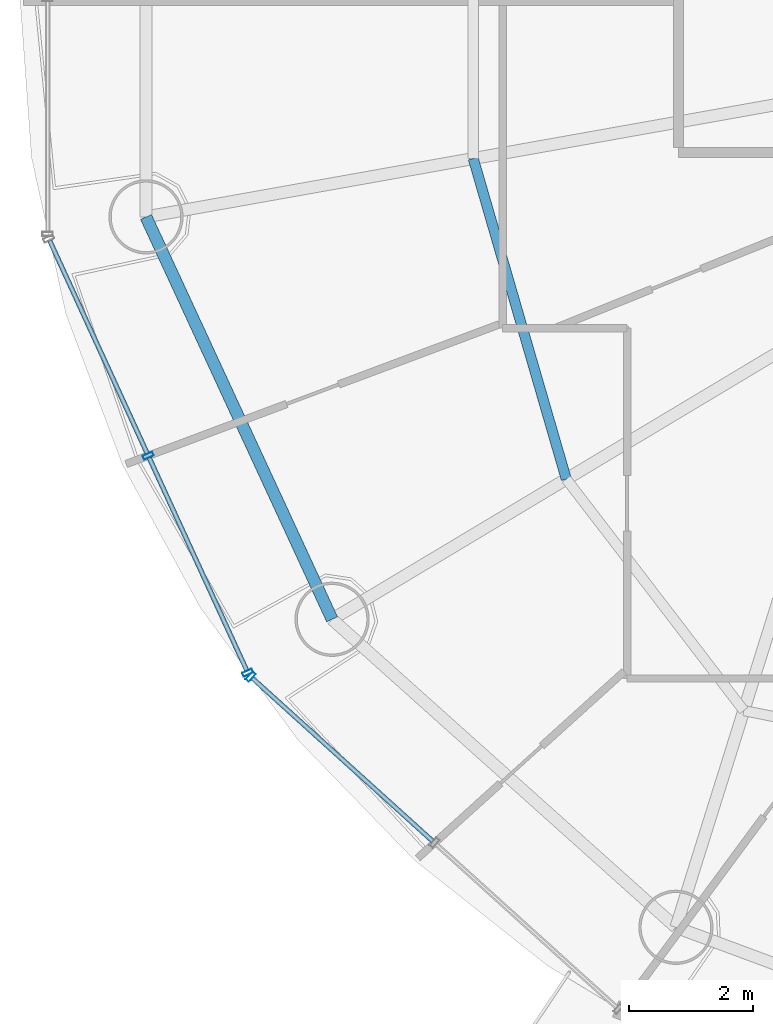
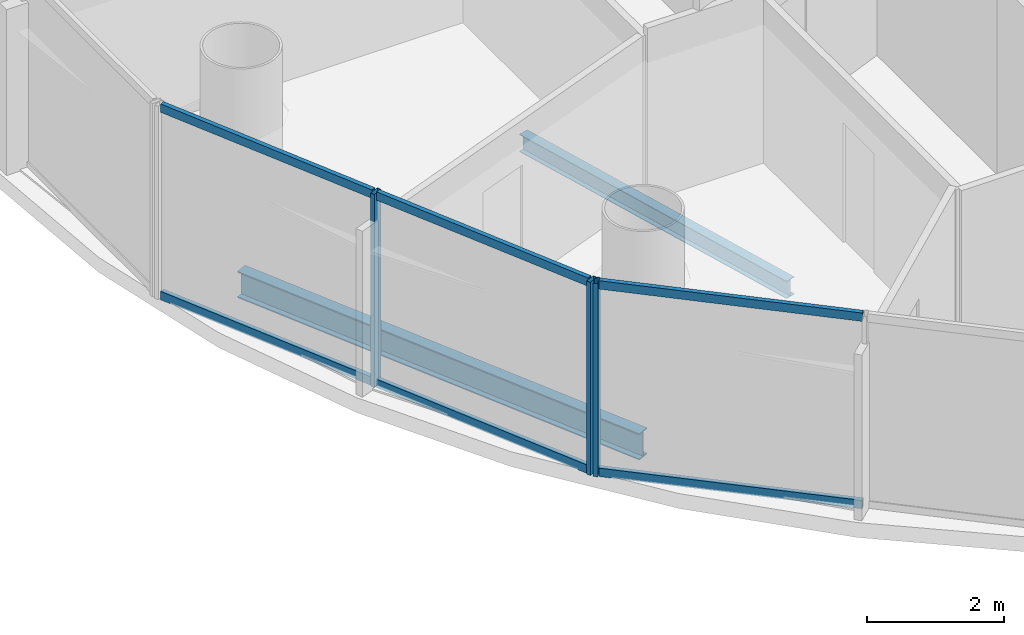
# One storey, part 3 of 26: 9 members, 2 beams, 2 elements without a shape of their own.
"""IFC4 building model written with IfcOpenShell, lengths in metres."""

import ifcopenshell
import ifcopenshell.guid

model = None  # the IFC model being written
_history = None  # IfcOwnerHistory: only IFC2X3 demands one
_inside = {}  # id of a spatial element -> (the spatial element, [elements in it])
_under = {}  # id of a project, library or spatial element -> (it, [spatial elements below it])
_declared = {}  # id of a project -> (the project, [libraries it declares])
_typed = {}  # id of a type object -> (the type object, [elements of that type])
_made_of = {}  # id of a material, layer set ... -> (it, [elements and type objects made of it])


def new_model(schema):
    """Start an empty IFC model of exactly this schema.

    Asked for "IFC4X3", IfcOpenShell would pick the latest addendum, in which some entities
    have other attributes; the version numbers below select the first issue.
    IFC2X3 requires an IfcOwnerHistory on every rooted entity: one is made here for all.
    """
    global model, _history
    if schema == "IFC4X3":
        model = ifcopenshell.file(schema_version=(4, 3, 0, 0))
    else:
        model = ifcopenshell.file(schema=schema)
    _inside.clear()
    _under.clear()
    _declared.clear()
    _typed.clear()
    _made_of.clear()
    _history = None
    if model.schema == "IFC2X3":
        org = make("IfcOrganization", Name="unknown")
        user = make(
            "IfcPersonAndOrganization",
            ThePerson=make("IfcPerson", FamilyName="unknown"),
            TheOrganization=org,
        )
        app = make(
            "IfcApplication",
            ApplicationDeveloper=org,
            Version="unknown",
            ApplicationFullName="unknown",
            ApplicationIdentifier="unknown",
        )
        _history = make(
            "IfcOwnerHistory",
            OwningUser=user,
            OwningApplication=app,
            ChangeAction="ADDED",
            CreationDate=0,
        )
    return model


def make(cls, **values):
    """One entity of the class cls with the attributes given. An attribute that is None is left unset."""
    return model.create_entity(
        cls, **{name: value for name, value in values.items() if value is not None}
    )


def rooted(cls, **values):
    """An entity with a GlobalId (a new one), such as an element, a storey or a relation."""
    return make(cls, GlobalId=ifcopenshell.guid.new(), OwnerHistory=_history, **values)


def si_unit(unit_type, name, prefix=None):
    """IfcSIUnit, for example si_unit("LENGTHUNIT", "METRE", prefix="MILLI")."""
    return make("IfcSIUnit", UnitType=unit_type, Prefix=prefix, Name=name)


def assignment(units):
    """IfcUnitAssignment: the units of a project."""
    return None if units is None else make("IfcUnitAssignment", Units=units)


def point(xyz):
    """IfcCartesianPoint."""
    return None if xyz is None else make("IfcCartesianPoint", Coordinates=xyz)


def direction(xyz):
    """IfcDirection."""
    return None if xyz is None else make("IfcDirection", DirectionRatios=xyz)


def frame(location, z_axis=None, x_axis=None):
    """IfcAxis2Placement3D, a coordinate frame: its origin and axes. An axis left out is left unset."""
    return make(
        "IfcAxis2Placement3D",
        Location=point(location),
        Axis=direction(z_axis),
        RefDirection=direction(x_axis),
    )


def frame_2d(location, x_axis=None):
    """IfcAxis2Placement2D, a coordinate frame in the plane: its origin and x axis."""
    return make(
        "IfcAxis2Placement2D", Location=point(location), RefDirection=direction(x_axis)
    )


def origin():
    """The frame at (0, 0, 0) with its axes left unset."""
    return frame((0.0, 0.0, 0.0))


def origin_2d():
    """The frame at (0, 0) in the plane with its x axis left unset."""
    return frame_2d((0.0, 0.0))


def place(relative_to, where):
    """IfcLocalPlacement: puts the frame where relative to a parent placement (None: the world)."""
    return make(
        "IfcLocalPlacement", PlacementRelTo=relative_to, RelativePlacement=where
    )


def context(
    kind, dimensions, precision=None, world=None, true_north=None, identifier=None
):
    """IfcGeometricRepresentationContext, for example the 3D "Model" context."""
    return make(
        "IfcGeometricRepresentationContext",
        ContextIdentifier=identifier,
        ContextType=kind,
        CoordinateSpaceDimension=dimensions,
        Precision=precision,
        WorldCoordinateSystem=world,
        TrueNorth=true_north,
    )


def subcontext(parent, identifier, kind, view, scale=None):
    """IfcGeometricRepresentationSubContext, for example "Body" below "Model"."""
    return make(
        "IfcGeometricRepresentationSubContext",
        ContextIdentifier=identifier,
        ContextType=kind,
        ParentContext=parent,
        TargetScale=scale,
        TargetView=view,
    )


def project(units=None, contexts=None):
    """IfcProject with its units and contexts."""
    return rooted(
        "IfcProject",
        Name="project",
        RepresentationContexts=contexts,
        UnitsInContext=assignment(units),
    )


def spatial(cls, under=None, at=None, **own):
    """A site, building, storey or space (cls), placed at a placement, below another one or the project."""
    s = rooted(cls, ObjectPlacement=at, **own)
    if under is not None:
        _under.setdefault(under.id(), (under, []))[1].append(s)
    return s


def profile(cls, at=None, kind="AREA", **sizes):
    """A parametric profile (cls). Its sizes go by their IFC names, for example OverallWidth=200.0."""
    return make(cls, ProfileType=kind, Position=at, **sizes)


def hollow_rectangle(**sizes):
    """IfcRectangleHollowProfileDef."""
    return profile("IfcRectangleHollowProfileDef", **sizes)


def i_section(**sizes):
    """IfcIShapeProfileDef."""
    return profile("IfcIShapeProfileDef", **sizes)


def extrude(swept, where, along, depth):
    """IfcExtrudedAreaSolid: the profile swept, set in the frame where, extruded along a direction by depth."""
    return make(
        "IfcExtrudedAreaSolid",
        SweptArea=swept,
        Position=where,
        ExtrudedDirection=direction(along),
        Depth=depth,
    )


def shape(context_of_items, identifier, shape_type, items):
    """IfcShapeRepresentation: the items that make up one representation, for example the "Body"."""
    return make(
        "IfcShapeRepresentation",
        ContextOfItems=context_of_items,
        RepresentationIdentifier=identifier,
        RepresentationType=shape_type,
        Items=items,
    )


def source(mapping_origin, context_of_items, identifier, shape_type, items):
    """IfcRepresentationMap: a shape defined once, which mapped items show again and again."""
    return make(
        "IfcRepresentationMap",
        MappingOrigin=mapping_origin,
        MappedRepresentation=shape(context_of_items, identifier, shape_type, items),
    )


def transform(
    local_origin,
    x_axis=None,
    y_axis=None,
    z_axis=None,
    scale=None,
    scale2=None,
    scale3=None,
    uniform=True,
):
    """IfcCartesianTransformationOperator3D, or its non-uniform kind. x_axis, y_axis, z_axis: its Axis1, 2, 3."""
    if uniform:
        return make(
            "IfcCartesianTransformationOperator3D",
            Axis1=direction(x_axis),
            Axis2=direction(y_axis),
            LocalOrigin=point(local_origin),
            Scale=scale,
            Axis3=direction(z_axis),
        )
    return make(
        "IfcCartesianTransformationOperator3DnonUniform",
        Axis1=direction(x_axis),
        Axis2=direction(y_axis),
        LocalOrigin=point(local_origin),
        Scale=scale,
        Axis3=direction(z_axis),
        Scale2=scale2,
        Scale3=scale3,
    )


def mapped(mapping_source, mapping_target):
    """IfcMappedItem: shows the shape of a source again, moved by a transform."""
    return make(
        "IfcMappedItem", MappingSource=mapping_source, MappingTarget=mapping_target
    )


def material(Name=None, Category=None):
    """IfcMaterial."""
    return make("IfcMaterial", Name=Name, Category=Category)


def material_profile(
    of_material, cross_section, Name=None, Category=None, Priority=None
):
    """IfcMaterialProfile: a cross section and its material."""
    return make(
        "IfcMaterialProfile",
        Name=Name,
        Material=of_material,
        Profile=cross_section,
        Priority=Priority,
        Category=Category,
    )


def profile_set(profiles, Name=None, composite=None):
    """IfcMaterialProfileSet."""
    return make(
        "IfcMaterialProfileSet",
        Name=Name,
        MaterialProfiles=profiles,
        CompositeProfile=composite,
    )


def made_of(thing, what):
    """Note that an element or type object is made of a material, layer set ...; save() writes the relation."""
    if what is not None:
        _made_of.setdefault(what.id(), (what, []))[1].append(thing)
    return thing


def type_object(cls, material=None, **own):
    """A type object (cls), such as IfcWallType, which elements share."""
    return made_of(rooted(cls, **own), material)


def element(
    cls,
    number,
    at=None,
    inside=None,
    cuts=None,
    type_object=None,
    material=None,
    context=None,
    identifier="Body",
    shape_type=None,
    held_by="IfcProductDefinitionShape",
    body=None,
    shapes=None,
    **own,
):
    """One element of the class cls, such as IfcWall. Its Tag is "e" and its number.

    at: its placement. inside: the storey or other place that contains it. cuts: it is an
    opening in that element (IfcRelVoidsElement). A single representation is given by context,
    identifier, shape_type and body (its items); several are given by shapes. held_by: the class
    of the entity that holds the representations. save() writes the other relations.
    """
    e = rooted(cls, Tag="e%d" % number, ObjectPlacement=at, **own)
    if body is not None:
        shapes = [shape(context, identifier, shape_type, body)]
    if shapes is not None:
        e.Representation = make(held_by, Representations=shapes)
    if inside is not None:
        _inside.setdefault(inside.id(), (inside, []))[1].append(e)
    if cuts is not None:
        rooted(
            "IfcRelVoidsElement", RelatingBuildingElement=cuts, RelatedOpeningElement=e
        )
    if type_object is not None:
        _typed.setdefault(type_object.id(), (type_object, []))[1].append(e)
    return made_of(e, material)


def aggregate(whole, parts):
    """IfcRelAggregates: a whole, such as a stair, and the parts it consists of."""
    return rooted("IfcRelAggregates", RelatingObject=whole, RelatedObjects=parts)


def save(model, path):
    """Write the relations noted so far, then the file.

    IfcRelAggregates (storeys below a building ...), IfcRelContainedInSpatialStructure (elements
    in a storey), IfcRelDefinesByType, IfcRelAssociatesMaterial and IfcRelDeclares: one each for
    every whole, place, type object, material and project.
    """
    for whole, parts in _under.values():
        aggregate(whole, parts)
    for where, things in _inside.values():
        rooted(
            "IfcRelContainedInSpatialStructure",
            RelatedElements=things,
            RelatingStructure=where,
        )
    for kind, things in _typed.values():
        rooted("IfcRelDefinesByType", RelatedObjects=things, RelatingType=kind)
    for what, things in _made_of.values():
        rooted("IfcRelAssociatesMaterial", RelatedObjects=things, RelatingMaterial=what)
    for by, libraries in _declared.values():
        rooted("IfcRelDeclares", RelatingContext=by, RelatedDefinitions=libraries)
    model.write(path)


model = new_model("IFC4")

# Units and contexts
model_context = context("Model", 3, precision=1e-05, world=origin(), true_north=direction((-0.2419218956, 0.970295726276)))
body_context = subcontext(model_context, "Body", "Model", "MODEL_VIEW")
ifc_project = project(units=[si_unit("LENGTHUNIT", "METRE"), si_unit("AREAUNIT", "SQUARE_METRE"), si_unit("VOLUMEUNIT", "CUBIC_METRE"), si_unit("PLANEANGLEUNIT", "RADIAN"), si_unit("MASSUNIT", "GRAM", prefix="KILO")], contexts=[model_context])

# Site, building, storey
site_placement = place(None, origin())
site = spatial("IfcSite", under=ifc_project, at=site_placement, CompositionType="ELEMENT")
building_placement = place(site_placement, origin())
building = spatial("IfcBuilding", under=site, at=building_placement, Name="Cobrevalo Terracotta Tower", CompositionType="ELEMENT")
storey_placement = place(building_placement, frame((0.0, 0.0, 220.800048828125)))
storey = spatial("IfcBuildingStorey", under=building, at=storey_placement, Name="L58", CompositionType="ELEMENT", Elevation=220.800048828125)

# Beams
ifc_material_1 = material(Name="Steel S355", Category="steel")
ifc_material_profile_1 = material_profile(ifc_material_1, i_section(OverallWidth=0.1650390625, OverallDepth=0.31005859375, WebThickness=0.005859375, FlangeThickness=0.009765625, at=origin_2d()), Name="W 310x38.7")
ifc_profile_set_1 = profile_set([ifc_material_profile_1], Name="Steel S355")
beam_type_1 = type_object("IfcBeamType", Name="Structural Joist W 310x38.7 (Steel S355)", PredefinedType="JOIST", material=ifc_profile_set_1)
beam_1_placement = place(storey_placement, frame((23.528564453125, 24.221435546875, -0.420166015625), z_axis=(0.278757705995, -0.960361463902, 0.0), x_axis=(0.960361463902, 0.278757705995, 0.0)))
element("IfcBeam", 1, at=beam_1_placement, inside=storey, type_object=beam_type_1, Name="L58 circumferential secondary floor joist 09", PredefinedType="JOIST", context=body_context, shape_type="SweptSolid", body=[
    extrude(i_section(OverallWidth=0.1650390625, OverallDepth=0.31005859375, WebThickness=0.005859375, FlangeThickness=0.009765625, at=origin_2d()), origin(), (0.0, 0.0, 1.0), 5.396728515625),
])
ifc_material_profile_2 = material_profile(ifc_material_1, i_section(OverallWidth=0.194091796875, OverallDepth=0.468994140625, WebThickness=0.011474609375, FlangeThickness=0.0205078125, at=origin_2d()), Name="W 460x106")
ifc_profile_set_2 = profile_set([ifc_material_profile_2], Name="Steel S355")
beam_type_2 = type_object("IfcBeamType", Name="Structural Spandrel W 460x106 (Steel S355)", PredefinedType="SPANDREL", material=ifc_profile_set_2)
beam_2_placement = place(storey_placement, frame((18.237060546875, 23.278564453125, -0.49951171875), z_axis=(0.419718939129, -0.90765412583, 0.0), x_axis=(0.90765412583, 0.419718939129, 0.0)))
element("IfcBeam", 2, at=beam_2_placement, inside=storey, type_object=beam_type_2, Name="L58 perimeter ring spandrel 09", PredefinedType="SPANDREL", context=body_context, shape_type="SweptSolid", body=[
    extrude(i_section(OverallWidth=0.194091796875, OverallDepth=0.468994140625, WebThickness=0.011474609375, FlangeThickness=0.0205078125, at=origin_2d()), origin(), (0.0, 0.0, 1.0), 7.168701171875),
])

# Curtain wall, members
ifc_material_2 = material(Name="Anodized aluminium", Category="aluminium")
curtain_wall_type = type_object("IfcCurtainWallType", Name="Mid-tower high-wind unitised curtain wall CW-U2", PredefinedType="NOTDEFINED", material=ifc_material_2)
curtain_wall_1_placement = place(storey_placement, origin())
curtain_wall_1 = element("IfcCurtainWall", 3, at=curtain_wall_1_placement, inside=storey, type_object=curtain_wall_type, Name="L58 curtain wall CW-L58-S09", PredefinedType="NOTDEFINED")
ifc_material_profile_3 = material_profile(ifc_material_2, hollow_rectangle(XDim=0.074951171875, YDim=0.14990234375, WallThickness=0.00439453125, at=origin_2d()), Name="CWT 75x150")
ifc_profile_set_3 = profile_set([ifc_material_profile_3], Name="Anodized aluminium")
member_type_1 = type_object("IfcMemberType", Name="Tower unitised aluminium transom 75x150", PredefinedType="USERDEFINED", material=ifc_profile_set_3)
shared_shape_1 = source(origin(), body_context, "Body", "SweptSolid", [
    extrude(hollow_rectangle(XDim=0.074951171875, YDim=0.14990234375, WallThickness=0.00439453125, at=origin_2d()), origin(), (0.0, 0.0, 1.0), 3.780029296875),
])
member_1_placement = place(storey_placement, frame((16.681640625, 22.889892578125, 0.050048828125), z_axis=(0.416705859352, -0.909041377926, 0.0), x_axis=(0.909041377926, 0.416705859352, 0.0)))
member_1 = element("IfcMember", 4, at=member_1_placement, type_object=member_type_1, Name="CW-L58-S09 transom B01-T1", ObjectType="TRANSOM", PredefinedType="USERDEFINED", context=body_context, shape_type="MappedRepresentation", body=[
    mapped(shared_shape_1, transform((0.0, 0.0, 0.0), scale=1.0)),
])
member_2_placement = place(storey_placement, frame((16.681640625, 22.889892578125, 3.385009765625), z_axis=(0.416705859352, -0.909041377926, 0.0), x_axis=(0.909041377926, 0.416705859352, 0.0)))
member_2 = element("IfcMember", 5, at=member_2_placement, type_object=member_type_1, Name="CW-L58-S09 transom B01-T2", ObjectType="TRANSOM", PredefinedType="USERDEFINED", context=body_context, shape_type="MappedRepresentation", body=[
    mapped(shared_shape_1, transform((0.0, 0.0, 0.0), scale=1.0)),
])
member_3_placement = place(storey_placement, frame((18.290283203125, 19.380859375, 0.050048828125), z_axis=(0.416705859352, -0.909041377926, 0.0), x_axis=(0.909041377926, 0.416705859352, 0.0)))
member_3 = element("IfcMember", 6, at=member_3_placement, type_object=member_type_1, Name="CW-L58-S09 transom B02-T1", ObjectType="TRANSOM", PredefinedType="USERDEFINED", context=body_context, shape_type="MappedRepresentation", body=[
    mapped(shared_shape_1, transform((0.0, 0.0, 0.0), scale=1.0)),
])
member_4_placement = place(storey_placement, frame((18.290283203125, 19.380859375, 3.385009765625), z_axis=(0.416705859352, -0.909041377926, 0.0), x_axis=(0.909041377926, 0.416705859352, 0.0)))
member_4 = element("IfcMember", 7, at=member_4_placement, type_object=member_type_1, Name="CW-L58-S09 transom B02-T2", ObjectType="TRANSOM", PredefinedType="USERDEFINED", context=body_context, shape_type="MappedRepresentation", body=[
    mapped(shared_shape_1, transform((0.0, 0.0, 0.0), scale=1.0)),
])

curtain_wall_2_placement = place(storey_placement, origin())
curtain_wall_2 = element("IfcCurtainWall", 8, at=curtain_wall_2_placement, inside=storey, type_object=curtain_wall_type, Name="L58 curtain wall CW-L58-S10", PredefinedType="NOTDEFINED")
shared_shape_2 = source(origin(), body_context, "Body", "SweptSolid", [
    extrude(hollow_rectangle(XDim=0.074951171875, YDim=0.14990234375, WallThickness=0.00439453125, at=origin_2d()), origin(), (0.0, 0.0, 1.0), 3.927490234375),
])
member_5_placement = place(storey_placement, frame((19.958251953125, 15.818359375, 0.050048828125), z_axis=(0.741975952623, -0.670426495396, 0.0), x_axis=(0.670426495396, 0.741975952623, 0.0)))
member_5 = element("IfcMember", 9, at=member_5_placement, type_object=member_type_1, Name="CW-L58-S10 transom B01-T1", ObjectType="TRANSOM", PredefinedType="USERDEFINED", context=body_context, shape_type="MappedRepresentation", body=[
    mapped(shared_shape_2, transform((0.0, 0.0, 0.0), scale=1.0)),
])
member_6_placement = place(storey_placement, frame((19.958251953125, 15.818359375, 3.385009765625), z_axis=(0.741975952623, -0.670426495396, 0.0), x_axis=(0.670426495396, 0.741975952623, 0.0)))
member_6 = element("IfcMember", 10, at=member_6_placement, type_object=member_type_1, Name="CW-L58-S10 transom B01-T2", ObjectType="TRANSOM", PredefinedType="USERDEFINED", context=body_context, shape_type="MappedRepresentation", body=[
    mapped(shared_shape_2, transform((0.0, 0.0, 0.0), scale=1.0)),
])

# Member
ifc_material_profile_4 = material_profile(ifc_material_2, hollow_rectangle(XDim=0.070068359375, YDim=0.169921875, WallThickness=0.00439453125, at=origin_2d()), Name="CWM 70x170")
ifc_profile_set_4 = profile_set([ifc_material_profile_4], Name="Anodized aluminium")
member_type_2 = type_object("IfcMemberType", Name="Upper tower unitised mullion 70x170", PredefinedType="MULLION", material=ifc_profile_set_4)
shared_shape_3 = source(origin(), body_context, "Body", "SweptSolid", [
    extrude(hollow_rectangle(XDim=0.070068359375, YDim=0.169921875, WallThickness=0.00439453125, at=origin_2d()), origin(), (0.0, 0.0, 1.0), 3.43505859375),
])
member_7_placement = place(storey_placement, frame((18.273681640625, 19.417236328125, 0.0), z_axis=(0.0, 0.0, 1.0), x_axis=(0.41672507912, -0.909032567311, 0.0)))
member_7 = element("IfcMember", 11, at=member_7_placement, type_object=member_type_2, Name="CW-L58-S09 vertical mullion 02", PredefinedType="MULLION", context=body_context, shape_type="MappedRepresentation", body=[
    mapped(shared_shape_3, transform((0.0, 0.0, 0.0), scale=1.0)),
])

member_8_placement = place(storey_placement, frame((19.88232421875, 15.908203125, 0.0), z_axis=(0.0, 0.0, 1.0), x_axis=(0.41672507912, -0.909032567311, 0.0)))
member_8 = element("IfcMember", 12, at=member_8_placement, type_object=member_type_2, Name="CW-L58-S09 vertical mullion 03", PredefinedType="MULLION", context=body_context, shape_type="MappedRepresentation", body=[
    mapped(shared_shape_3, transform((0.0, 0.0, 0.0), scale=1.0)),
])

aggregate(curtain_wall_1, [member_7, member_8, member_1, member_2, member_3, member_4])

member_9_placement = place(storey_placement, frame((19.928466796875, 15.84521484375, 0.0), z_axis=(0.0, 0.0, 1.0), x_axis=(0.741987542015, -0.670413668935, 0.0)))
member_9 = element("IfcMember", 13, at=member_9_placement, type_object=member_type_2, Name="CW-L58-S10 vertical mullion 01", PredefinedType="MULLION", context=body_context, shape_type="MappedRepresentation", body=[
    mapped(shared_shape_3, transform((0.0, 0.0, 0.0), scale=1.0)),
])

aggregate(curtain_wall_2, [member_9, member_5, member_6])

save(model, "model.ifc")
